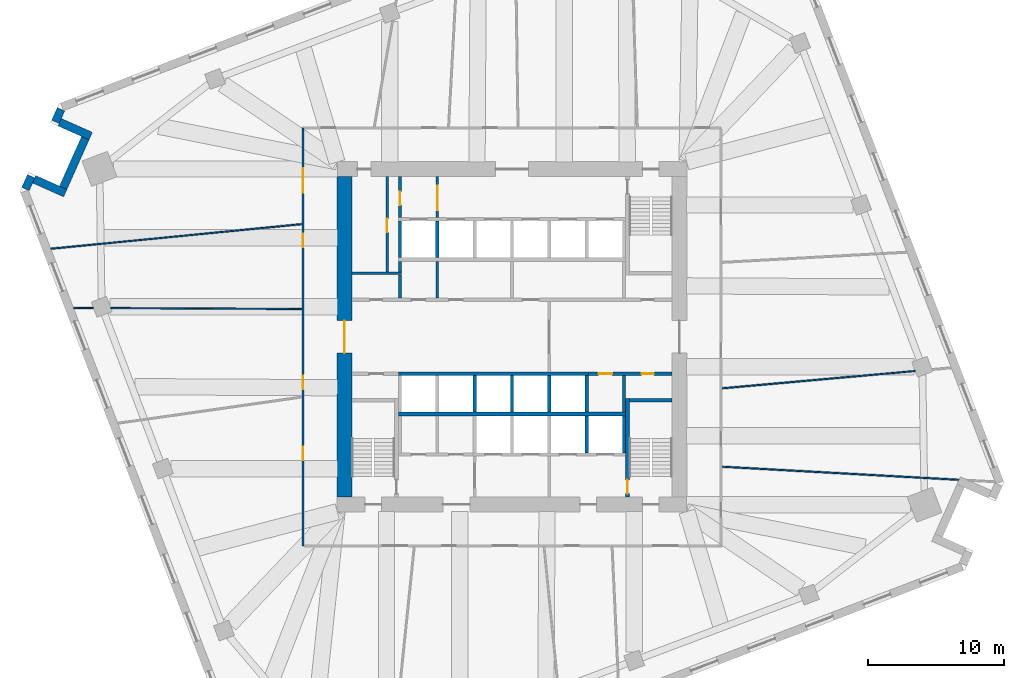
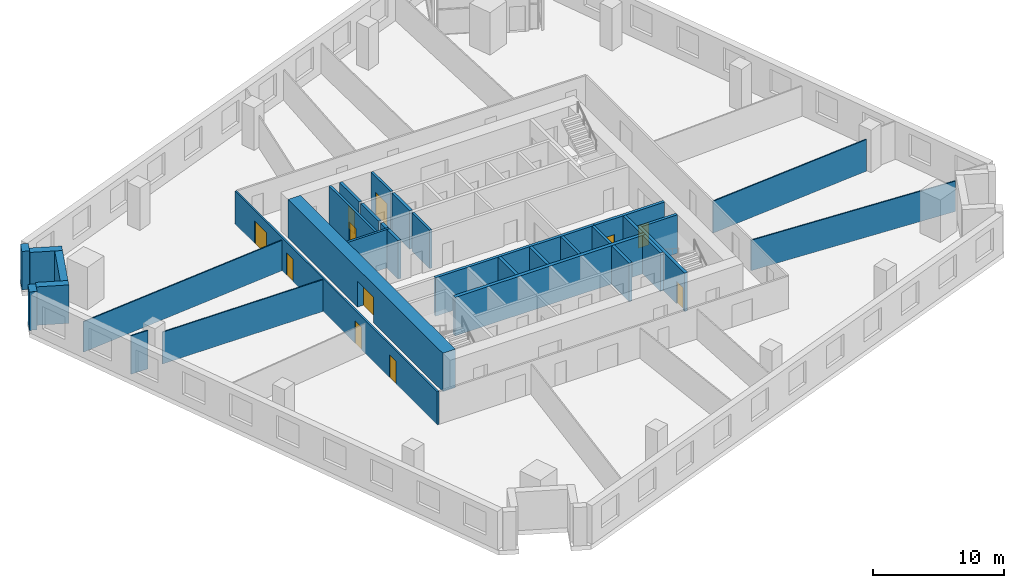
# One storey, part 9 of 14: 33 walls, 11 doors, 11 openings.
"""IFC4 building model written with IfcOpenShell, lengths in metres."""

from ifc_helpers import new_model, si_unit, direction, frame, frame_2d, origin, place, context, subcontext, project, spatial, rectangle, extrude, material, layer, layer_set, type_object, element, fill, save


model = new_model("IFC4")

# Units and contexts
model_context = context("Model", 3, precision=1e-05, world=origin(), true_north=direction((0.0, 1.0)))
body_context = subcontext(model_context, "Body", "Model", "MODEL_VIEW")
ifc_project = project(units=[si_unit("LENGTHUNIT", "METRE"), si_unit("AREAUNIT", "SQUARE_METRE"), si_unit("VOLUMEUNIT", "CUBIC_METRE"), si_unit("PLANEANGLEUNIT", "RADIAN"), si_unit("MASSUNIT", "GRAM", prefix="KILO")], contexts=[model_context])

# Site, building, storey
site_placement = place(None, origin())
site = spatial("IfcSite", under=ifc_project, at=site_placement, CompositionType="ELEMENT")
building_placement = place(site_placement, origin())
building = spatial("IfcBuilding", under=site, at=building_placement, Name="Dilmun Exchange Tower", CompositionType="ELEMENT")
storey_placement = place(building_placement, frame((0.0, 0.0, 110.10009765625)))
storey = spatial("IfcBuildingStorey", under=building, at=storey_placement, Name="L25", CompositionType="ELEMENT", Elevation=110.10009765625)

# Walls
ifc_material_1 = material(Name="Concrete C40/50", Category="concrete")
ifc_layer_1 = layer(ifc_material_1, 0.199951171875)
ifc_layer_set_1 = layer_set([ifc_layer_1], Name="Concrete C40/50")
wall_type_1 = type_object("IfcWallType", Name="Core partition wall 200", PredefinedType="PARTITIONING", material=ifc_layer_set_1)
wall_1_placement = place(storey_placement, frame((-5.5, 2.85498046875, 0.0), z_axis=(0.0, 0.0, 1.0), x_axis=(0.0, 1.0, 0.0)))
element("IfcWall", 1, at=wall_1_placement, inside=storey, type_object=wall_type_1, Name="L25 core partition wall 12", PredefinedType="PARTITIONING", context=body_context, shape_type="SweptSolid", body=[
    extrude(rectangle(XDim=2.68994140625, YDim=0.199951171875, at=frame_2d((1.344970703125, 0.0))), origin(), (0.0, 0.0, 1.0), 3.579833984375),
])
wall_2_placement = place(storey_placement, frame((-11.794921875, 4.675048828125, 0.0), z_axis=(0.0, 0.0, 1.0), x_axis=(1.0, 0.0, 0.0)))
element("IfcWall", 2, at=wall_2_placement, inside=storey, type_object=wall_type_1, Name="L25 core partition wall 15", PredefinedType="PARTITIONING", context=body_context, shape_type="SweptSolid", body=[
    extrude(rectangle(XDim=3.64501953125, YDim=0.199951171875, at=frame_2d((1.822509765625, 0.0))), origin(), (0.0, 0.0, 1.0), 3.579833984375),
])

# Wall, opening, door
wall_3_placement = place(storey_placement, frame((-9.199951171875, 4.780029296875, 0.0), z_axis=(0.0, 0.0, 1.0), x_axis=(0.0, 1.0, 0.0)))
wall_3 = element("IfcWall", 3, at=wall_3_placement, inside=storey, type_object=wall_type_1, Name="L25 core partition wall 16", PredefinedType="PARTITIONING", context=body_context, shape_type="SweptSolid", body=[
    extrude(rectangle(XDim=7.014892578125, YDim=0.199951171875, at=frame_2d((3.50732421875, 0.0))), origin(), (0.0, 0.0, 1.0), 3.579833984375),
])
opening_1_placement = place(wall_3_placement, frame((2.919921875, 0.0, 0.0)))
opening_1 = element("IfcOpeningElement", 4, at=opening_1_placement, cuts=wall_3, Name="Opening CD4", PredefinedType="OPENING", context=body_context, shape_type="SweptSolid", body=[
    extrude(rectangle(XDim=1.0, YDim=2.10009765625, at=frame_2d((0.5, 1.050048828125))), frame((0.0, 0.10986328125, 0.0), z_axis=(0.0, -1.0, 0.0), x_axis=(1.0, 0.0, 0.0)), (0.0, 0.0, 1.0), 0.219970703125),
])
ifc_material_2 = material(Name="Fire-rated steel door set", Category="steel")
door_type_1 = type_object("IfcDoorType", Name="Core room door 1000x2100", OperationType="SINGLE_SWING_LEFT", PredefinedType="DOOR", material=ifc_material_2)
door_1_placement = place(opening_1_placement, origin())
door_1 = element("IfcDoor", 5, at=door_1_placement, inside=storey, type_object=door_type_1, Name="L25 door Fire safety store", OperationType="SINGLE_SWING_RIGHT", OverallHeight=2.10009765625, OverallWidth=1.0, PredefinedType="DOOR", context=body_context, shape_type="SweptSolid", body=[
    extrude(rectangle(XDim=1.0, YDim=2.10009765625, at=frame_2d((0.5, 1.050048828125))), frame((0.0, 0.02490234375, 0.0), z_axis=(0.0, -1.0, 0.0), x_axis=(1.0, 0.0, 0.0)), (0.0, 0.0, 1.0), 0.050048828125),
])
fill(opening_1, door_1)

wall_4_placement = place(storey_placement, frame((-5.5, 8.804931640625, 0.0), z_axis=(0.0, 0.0, 1.0), x_axis=(0.0, 1.0, 0.0)))
wall_4 = element("IfcWall", 6, at=wall_4_placement, inside=storey, type_object=wall_type_1, Name="L25 core partition wall 19", PredefinedType="PARTITIONING", context=body_context, shape_type="SweptSolid", body=[
    extrude(rectangle(XDim=2.989990234375, YDim=0.199951171875, at=frame_2d((1.4951171875, 0.0))), origin(), (0.0, 0.0, 1.0), 3.579833984375),
])
opening_2_placement = place(wall_4_placement, frame((0.532470703125, 0.0, 0.0)))
opening_2 = element("IfcOpeningElement", 7, at=opening_2_placement, cuts=wall_4, Name="Opening CD5", PredefinedType="OPENING", context=body_context, shape_type="SweptSolid", body=[
    extrude(rectangle(XDim=1.800048828125, YDim=2.10009765625, at=frame_2d((0.89990234375, 1.050048828125))), frame((0.0, 0.10986328125, 0.0), z_axis=(0.0, -1.0, 0.0), x_axis=(1.0, 0.0, 0.0)), (0.0, 0.0, 1.0), 0.219970703125),
])
door_type_2 = type_object("IfcDoorType", Name="Stair exit door 1800x2100", OperationType="SINGLE_SWING_LEFT", PredefinedType="DOOR", material=ifc_material_2)
door_2_placement = place(opening_2_placement, origin())
door_2 = element("IfcDoor", 8, at=door_2_placement, inside=storey, type_object=door_type_2, Name="L25 door Lift lobby east", OperationType="SINGLE_SWING_LEFT", OverallHeight=2.10009765625, OverallWidth=1.800048828125, PredefinedType="DOOR", context=body_context, shape_type="SweptSolid", body=[
    extrude(rectangle(XDim=1.800048828125, YDim=2.10009765625, at=frame_2d((0.89990234375, 1.050048828125))), frame((0.0, 0.02490234375, 0.0), z_axis=(0.0, -1.0, 0.0), x_axis=(1.0, 0.0, 0.0)), (0.0, 0.0, 1.0), 0.050048828125),
])
fill(opening_2, door_2)

# Wall
ifc_layer_2 = layer(ifc_material_1, 0.25)
ifc_layer_set_2 = layer_set([ifc_layer_2], Name="Concrete C40/50")
wall_type_2 = type_object("IfcWallType", Name="Core partition wall 250", PredefinedType="PARTITIONING", material=ifc_layer_set_2)
wall_5_placement = place(storey_placement, frame((8.25, -5.544921875, 0.0), z_axis=(0.0, 0.0, 1.0), x_axis=(0.0, 1.0, 0.0)))
element("IfcWall", 9, at=wall_5_placement, inside=storey, type_object=wall_type_2, Name="L25 core partition wall 06", PredefinedType="PARTITIONING", context=body_context, shape_type="SweptSolid", body=[
    extrude(rectangle(XDim=2.68994140625, YDim=0.25, at=frame_2d((1.344970703125, 0.0))), origin(), (0.0, 0.0, 1.0), 3.579833984375),
])

# Wall, openings, doors
wall_6_placement = place(storey_placement, frame((5.6298828125, -2.72509765625, 0.0), z_axis=(0.0, 0.0, 1.0), x_axis=(1.0, 0.0, 0.0)))
wall_6 = element("IfcWall", 10, at=wall_6_placement, inside=storey, type_object=wall_type_2, Name="L25 core partition wall 08", PredefinedType="PARTITIONING", context=body_context, shape_type="SweptSolid", body=[
    extrude(rectangle(XDim=6.1650390625, YDim=0.25, at=frame_2d((3.08251953125, 0.0))), origin(), (0.0, 0.0, 1.0), 3.579833984375),
])
opening_3_placement = place(wall_6_placement, frame((0.7451171875, 0.0, 0.0)))
opening_3 = element("IfcOpeningElement", 11, at=opening_3_placement, cuts=wall_6, Name="Opening CD4", PredefinedType="OPENING", context=body_context, shape_type="SweptSolid", body=[
    extrude(rectangle(XDim=1.0, YDim=2.10009765625, at=frame_2d((0.5, 1.050048828125))), frame((0.0, 0.135009765625, 0.0), z_axis=(0.0, -1.0, 0.0), x_axis=(1.0, 0.0, 0.0)), (0.0, 0.0, 1.0), 0.27001953125),
])
opening_4_placement = place(wall_6_placement, frame((3.919921875, 0.0, 0.0)))
opening_4 = element("IfcOpeningElement", 12, at=opening_4_placement, cuts=wall_6, Name="Opening CD6", PredefinedType="OPENING", context=body_context, shape_type="SweptSolid", body=[
    extrude(rectangle(XDim=0.89990234375, YDim=2.10009765625, at=frame_2d((0.449951171875, 1.050048828125))), frame((0.0, 0.135009765625, 0.0), z_axis=(0.0, -1.0, 0.0), x_axis=(1.0, 0.0, 0.0)), (0.0, 0.0, 1.0), 0.27001953125),
])
door_3_placement = place(opening_3_placement, origin())
door_3 = element("IfcDoor", 13, at=door_3_placement, inside=storey, type_object=door_type_1, Name="L25 door Cleaners' store", OperationType="SINGLE_SWING_RIGHT", OverallHeight=2.10009765625, OverallWidth=1.0, PredefinedType="DOOR", context=body_context, shape_type="SweptSolid", body=[
    extrude(rectangle(XDim=1.0, YDim=2.10009765625, at=frame_2d((0.5, 1.050048828125))), frame((0.0, 0.02490234375, 0.0), z_axis=(0.0, -1.0, 0.0), x_axis=(1.0, 0.0, 0.0)), (0.0, 0.0, 1.0), 0.050048828125),
])
fill(opening_3, door_3)
door_type_3 = type_object("IfcDoorType", Name="Core room door 900x2100", OperationType="SINGLE_SWING_LEFT", PredefinedType="DOOR", material=ifc_material_2)
door_4_placement = place(opening_4_placement, origin())
door_4 = element("IfcDoor", 14, at=door_4_placement, inside=storey, type_object=door_type_3, Name="L25 door Comms riser", OperationType="SINGLE_SWING_RIGHT", OverallHeight=2.10009765625, OverallWidth=0.89990234375, PredefinedType="DOOR", context=body_context, shape_type="SweptSolid", body=[
    extrude(rectangle(XDim=0.89990234375, YDim=2.10009765625, at=frame_2d((0.449951171875, 1.050048828125))), frame((0.0, 0.02490234375, 0.0), z_axis=(0.0, -1.0, 0.0), x_axis=(1.0, 0.0, 0.0)), (0.0, 0.0, 1.0), 0.050048828125),
])
fill(opening_4, door_4)

# Walls
wall_7_placement = place(storey_placement, frame((-8.25, 2.85498046875, 0.0), z_axis=(0.0, 0.0, 1.0), x_axis=(0.0, 1.0, 0.0)))
element("IfcWall", 15, at=wall_7_placement, inside=storey, type_object=wall_type_2, Name="L25 core partition wall 11", PredefinedType="PARTITIONING", context=body_context, shape_type="SweptSolid", body=[
    extrude(rectangle(XDim=1.715087890625, YDim=0.25, at=frame_2d((0.857421875, 0.0))), origin(), (0.0, 0.0, 1.0), 3.579833984375),
])
wall_8_placement = place(storey_placement, frame((-8.25, 4.780029296875, 0.0), z_axis=(0.0, 0.0, 1.0), x_axis=(0.0, 1.0, 0.0)))
element("IfcWall", 16, at=wall_8_placement, inside=storey, type_object=wall_type_2, Name="L25 core partition wall 17", PredefinedType="PARTITIONING", context=body_context, shape_type="SweptSolid", body=[
    extrude(rectangle(XDim=0.764892578125, YDim=0.25, at=frame_2d((0.38232421875, 0.0))), origin(), (0.0, 0.0, 1.0), 3.579833984375),
])

# Wall, opening, door
wall_9_placement = place(storey_placement, frame((-8.25, 8.804931640625, 0.0), z_axis=(0.0, 0.0, 1.0), x_axis=(0.0, 1.0, 0.0)))
wall_9 = element("IfcWall", 17, at=wall_9_placement, inside=storey, type_object=wall_type_2, Name="L25 core partition wall 18", PredefinedType="PARTITIONING", context=body_context, shape_type="SweptSolid", body=[
    extrude(rectangle(XDim=2.989990234375, YDim=0.25, at=frame_2d((1.4951171875, 0.0))), origin(), (0.0, 0.0, 1.0), 3.579833984375),
])
opening_5_placement = place(wall_9_placement, frame((0.89501953125, 0.0, 0.0)))
opening_5 = element("IfcOpeningElement", 18, at=opening_5_placement, cuts=wall_9, Name="Opening CD4", PredefinedType="OPENING", context=body_context, shape_type="SweptSolid", body=[
    extrude(rectangle(XDim=1.0, YDim=2.10009765625, at=frame_2d((0.5, 1.050048828125))), frame((0.0, 0.135009765625, 0.0), z_axis=(0.0, -1.0, 0.0), x_axis=(1.0, 0.0, 0.0)), (0.0, 0.0, 1.0), 0.27001953125),
])
door_5_placement = place(opening_5_placement, origin())
door_5 = element("IfcDoor", 19, at=door_5_placement, inside=storey, type_object=door_type_1, Name="L25 door Tenant services room", OperationType="SINGLE_SWING_RIGHT", OverallHeight=2.10009765625, OverallWidth=1.0, PredefinedType="DOOR", context=body_context, shape_type="SweptSolid", body=[
    extrude(rectangle(XDim=1.0, YDim=2.10009765625, at=frame_2d((0.5, 1.050048828125))), frame((0.0, 0.02490234375, 0.0), z_axis=(0.0, -1.0, 0.0), x_axis=(1.0, 0.0, 0.0)), (0.0, 0.0, 1.0), 0.050048828125),
])
fill(opening_5, door_5)

ifc_material_3 = material(Name="Concrete C80/95", Category="concrete")
ifc_layer_3 = layer(ifc_material_3, 1.10009765625)
ifc_layer_set_3 = layer_set([ifc_layer_3], Name="Concrete C80/95")
wall_type_3 = type_object("IfcWallType", Name="Core shear wall 1100 Concrete C80/95", PredefinedType="SHEAR", material=ifc_layer_set_3)
wall_10_placement = place(storey_placement, frame((-12.35009765625, -11.800048828125, 0.0), z_axis=(0.0, 0.0, 1.0), x_axis=(0.0, 1.0, 0.0)))
wall_10 = element("IfcWall", 20, at=wall_10_placement, inside=storey, type_object=wall_type_3, Name="L25 core shear wall W", PredefinedType="SHEAR", context=body_context, shape_type="SweptSolid", body=[
    extrude(rectangle(XDim=23.60009765625, YDim=1.10009765625, at=frame_2d((11.800048828125, 0.0))), origin(), (0.0, 0.0, 1.0), 3.579833984375),
])
opening_6_placement = place(wall_10_placement, frame((10.60009765625, 0.0, 0.0)))
opening_6 = element("IfcOpeningElement", 21, at=opening_6_placement, cuts=wall_10, Name="Opening CD1", PredefinedType="OPENING", context=body_context, shape_type="SweptSolid", body=[
    extrude(rectangle(XDim=2.39990234375, YDim=2.39990234375, at=frame_2d((1.199951171875, 1.199951171875))), frame((0.0, 0.56005859375, 0.0), z_axis=(0.0, -1.0, 0.0), x_axis=(1.0, 0.0, 0.0)), (0.0, 0.0, 1.0), 1.1201171875),
])
door_type_4 = type_object("IfcDoorType", Name="Core lobby door 2400x2400", OperationType="DOUBLE_DOOR_DOUBLE_SWING", PredefinedType="DOOR", material=ifc_material_2)
door_6_placement = place(opening_6_placement, origin())
door_6 = element("IfcDoor", 22, at=door_6_placement, inside=storey, type_object=door_type_4, Name="L25 door Central lift lobby", OperationType="SINGLE_SWING_LEFT", OverallHeight=2.39990234375, OverallWidth=2.39990234375, PredefinedType="DOOR", context=body_context, shape_type="SweptSolid", body=[
    extrude(rectangle(XDim=2.39990234375, YDim=2.39990234375, at=frame_2d((1.199951171875, 1.199951171875))), frame((0.0, 0.02490234375, 0.0), z_axis=(0.0, -1.0, 0.0), x_axis=(1.0, 0.0, 0.0)), (0.0, 0.0, 1.0), 0.050048828125),
])
fill(opening_6, door_6)

# Wall, openings, doors
ifc_material_4 = material(Name="Corridor wall 150")
ifc_layer_4 = layer(ifc_material_4, 0.14990234375)
ifc_layer_set_4 = layer_set([ifc_layer_4], Name="Corridor wall 150")
wall_type_4 = type_object("IfcWallType", Name="Corridor wall 150", PredefinedType="PARTITIONING", material=ifc_layer_set_4)
wall_11_placement = place(storey_placement, frame((-15.39990234375, -15.39990234375, 0.0), z_axis=(0.0, 0.0, 1.0), x_axis=(0.0, 1.0, 0.0)))
wall_11 = element("IfcWall", 23, at=wall_11_placement, inside=storey, type_object=wall_type_4, Name="Corridor wall", PredefinedType="PARTITIONING", context=body_context, shape_type="SweptSolid", body=[
    extrude(rectangle(XDim=30.7998046875, YDim=0.14990234375, at=frame_2d((15.39990234375, 0.0))), origin(), (0.0, 0.0, 1.0), 3.079833984375),
])
opening_7_placement = place(wall_11_placement, frame((21.999267578125, 0.0, 0.0)))
opening_7 = element("IfcOpeningElement", 24, at=opening_7_placement, cuts=wall_11, Name="Opening TF23-D01", PredefinedType="OPENING", context=body_context, shape_type="SweptSolid", body=[
    extrude(rectangle(XDim=1.0, YDim=2.10009765625, at=frame_2d((0.5, 1.050048828125))), frame((0.0, 0.0849609375, 0.0), z_axis=(0.0, -1.0, 0.0), x_axis=(1.0, 0.0, 0.0)), (0.0, 0.0, 1.0), 0.169921875),
])
opening_8_placement = place(wall_11_placement, frame((11.51806640625, 0.0, 0.0)))
opening_8 = element("IfcOpeningElement", 25, at=opening_8_placement, cuts=wall_11, Name="Opening TF23-D02", PredefinedType="OPENING", context=body_context, shape_type="SweptSolid", body=[
    extrude(rectangle(XDim=1.0, YDim=2.10009765625, at=frame_2d((0.5, 1.050048828125))), frame((0.0, 0.0849609375, 0.0), z_axis=(0.0, -1.0, 0.0), x_axis=(1.0, 0.0, 0.0)), (0.0, 0.0, 1.0), 0.169921875),
])
opening_9_placement = place(wall_11_placement, frame((26.00537109375, 0.0, 0.0)))
opening_9 = element("IfcOpeningElement", 26, at=opening_9_placement, cuts=wall_11, Name="Opening TF23-D03", PredefinedType="OPENING", context=body_context, shape_type="SweptSolid", body=[
    extrude(rectangle(XDim=1.800048828125, YDim=2.10009765625, at=frame_2d((0.89990234375, 1.050048828125))), frame((0.0, 0.0849609375, 0.0), z_axis=(0.0, -1.0, 0.0), x_axis=(1.0, 0.0, 0.0)), (0.0, 0.0, 1.0), 0.169921875),
])
opening_10_placement = place(wall_11_placement, frame((6.300048828125, 0.0, 0.0)))
opening_10 = element("IfcOpeningElement", 27, at=opening_10_placement, cuts=wall_11, Name="Opening TF23-D06", PredefinedType="OPENING", context=body_context, shape_type="SweptSolid", body=[
    extrude(rectangle(XDim=1.0, YDim=2.10009765625, at=frame_2d((0.5, 1.050048828125))), frame((0.0, 0.0849609375, 0.0), z_axis=(0.0, -1.0, 0.0), x_axis=(1.0, 0.0, 0.0)), (0.0, 0.0, 1.0), 0.169921875),
])
ifc_material_5 = material(Name="Fire door 1000 x 2100")
door_type_5 = type_object("IfcDoorType", Name="Fire door 1000 x 2100", OperationType="NOTDEFINED", PredefinedType="DOOR", material=ifc_material_5)
door_7_placement = place(opening_7_placement, origin())
door_7 = element("IfcDoor", 28, at=door_7_placement, inside=storey, type_object=door_type_5, Name="Door TF23-D01", OperationType="SINGLE_SWING_LEFT", OverallHeight=2.10009765625, OverallWidth=1.0, PredefinedType="DOOR", context=body_context, shape_type="SweptSolid", body=[
    extrude(rectangle(XDim=1.0, YDim=2.10009765625, at=frame_2d((0.5, 1.050048828125))), frame((0.0, 0.02490234375, 0.0), z_axis=(0.0, -1.0, 0.0), x_axis=(1.0, 0.0, 0.0)), (0.0, 0.0, 1.0), 0.050048828125),
])
fill(opening_7, door_7)
door_8_placement = place(opening_8_placement, origin())
door_8 = element("IfcDoor", 29, at=door_8_placement, inside=storey, type_object=door_type_5, Name="Door TF23-D02", OperationType="SINGLE_SWING_RIGHT", OverallHeight=2.10009765625, OverallWidth=1.0, PredefinedType="DOOR", context=body_context, shape_type="SweptSolid", body=[
    extrude(rectangle(XDim=1.0, YDim=2.10009765625, at=frame_2d((0.5, 1.050048828125))), frame((0.0, 0.02490234375, 0.0), z_axis=(0.0, -1.0, 0.0), x_axis=(1.0, 0.0, 0.0)), (0.0, 0.0, 1.0), 0.050048828125),
])
fill(opening_8, door_8)
door_9_placement = place(opening_10_placement, origin())
door_9 = element("IfcDoor", 30, at=door_9_placement, inside=storey, type_object=door_type_5, Name="Door TF23-D06", OperationType="SINGLE_SWING_RIGHT", OverallHeight=2.10009765625, OverallWidth=1.0, PredefinedType="DOOR", context=body_context, shape_type="SweptSolid", body=[
    extrude(rectangle(XDim=1.0, YDim=2.10009765625, at=frame_2d((0.5, 1.050048828125))), frame((0.0, 0.02490234375, 0.0), z_axis=(0.0, -1.0, 0.0), x_axis=(1.0, 0.0, 0.0)), (0.0, 0.0, 1.0), 0.050048828125),
])
fill(opening_10, door_9)
ifc_material_6 = material(Name="Fire door pair 1800 x 2100")
door_type_6 = type_object("IfcDoorType", Name="Fire door pair 1800 x 2100", OperationType="NOTDEFINED", PredefinedType="DOOR", material=ifc_material_6)
door_10_placement = place(opening_9_placement, origin())
door_10 = element("IfcDoor", 31, at=door_10_placement, inside=storey, type_object=door_type_6, Name="Door TF23-D03", OperationType="DOUBLE_DOOR_SINGLE_SWING", OverallHeight=2.10009765625, OverallWidth=1.800048828125, PredefinedType="DOOR", context=body_context, shape_type="SweptSolid", body=[
    extrude(rectangle(XDim=1.800048828125, YDim=2.10009765625, at=frame_2d((0.89990234375, 1.050048828125))), frame((0.0, 0.02490234375, 0.0), z_axis=(0.0, -1.0, 0.0), x_axis=(1.0, 0.0, 0.0)), (0.0, 0.0, 1.0), 0.050048828125),
])
fill(opening_9, door_10)

# Walls
ifc_layer_5 = layer(ifc_material_1, 0.300048828125)
ifc_layer_set_5 = layer_set([ifc_layer_5], Name="Concrete C40/50")
wall_type_5 = type_object("IfcWallType", Name="Lift shaft shared wall 300", PredefinedType="SOLIDWALL", material=ifc_layer_set_5)
wall_12_placement = place(storey_placement, frame((-8.375, -5.699951171875, 0.0), z_axis=(0.0, 0.0, 1.0), x_axis=(1.0, 0.0, 0.0)))
element("IfcWall", 32, at=wall_12_placement, inside=storey, type_object=wall_type_5, Name="L25 lift shaft rear wall S", PredefinedType="SOLIDWALL", context=body_context, shape_type="SweptSolid", body=[
    extrude(rectangle(XDim=16.75, YDim=0.300048828125, at=frame_2d((8.375, 0.0))), origin(), (0.0, 0.0, 1.0), 3.579833984375),
])
ifc_layer_6 = layer(ifc_material_1, 0.25)
ifc_layer_set_6 = layer_set([ifc_layer_6], Name="Concrete C40/50")
wall_type_6 = type_object("IfcWallType", Name="Lift shaft wall 250", PredefinedType="SOLIDWALL", material=ifc_layer_set_6)
for number, where, z_axis, x_axis, name in (
    (33, (-8.25, 5.85009765625, 0.0), (0.0, 0.0, 1.0), (0.0, 1.0, 0.0), "L25 lift shaft divider N20"),
    (34, (-5.5, 5.85009765625, 0.0), (0.0, 0.0, 1.0), (0.0, 1.0, 0.0), "L25 lift shaft divider N21"),
):
    element("IfcWall", number, at=place(storey_placement, frame(where, z_axis=z_axis, x_axis=x_axis)), inside=storey, type_object=wall_type_6, Name=name, PredefinedType="SOLIDWALL", context=body_context, shape_type="SweptSolid", body=[
        extrude(rectangle(XDim=2.699951171875, YDim=0.25, at=frame_2d((1.35009765625, 0.0))), origin(), (0.0, 0.0, 1.0), 3.579833984375),
    ])
wall_13_placement = place(storey_placement, frame((-8.375, -2.72509765625, 0.0), z_axis=(0.0, 0.0, 1.0), x_axis=(1.0, 0.0, 0.0)))
element("IfcWall", 35, at=wall_13_placement, inside=storey, type_object=wall_type_6, Name="L25 lift shaft front wall S1", PredefinedType="SOLIDWALL", context=body_context, shape_type="SweptSolid", body=[
    extrude(rectangle(XDim=14.0, YDim=0.25, at=frame_2d((7.0, 0.0))), origin(), (0.0, 0.0, 1.0), 3.579833984375),
])
for number, where, z_axis, x_axis, name in (
    (36, (-2.75, -5.550048828125, 0.0), (0.0, 0.0, 1.0), (0.0, 1.0, 0.0), "L25 lift shaft divider S12"),
    (37, (0.0, -5.550048828125, 0.0), (0.0, 0.0, 1.0), (0.0, 1.0, 0.0), "L25 lift shaft divider S13"),
    (38, (2.75, -5.550048828125, 0.0), (0.0, 0.0, 1.0), (0.0, 1.0, 0.0), "L25 lift shaft divider S14"),
    (39, (5.5, -5.550048828125, 0.0), (0.0, 0.0, 1.0), (0.0, 1.0, 0.0), "L25 lift shaft divider S15"),
    (40, (5.5, -8.550048828125, 0.0), (0.0, 0.0, 1.0), (0.0, 1.0, 0.0), "L25 lift shaft divider S25"),
    (41, (8.25, -8.550048828125, 0.0), (0.0, 0.0, 1.0), (0.0, 1.0, 0.0), "L25 lift shaft divider S26"),
):
    element("IfcWall", number, at=place(storey_placement, frame(where, z_axis=z_axis, x_axis=x_axis)), inside=storey, type_object=wall_type_6, Name=name, PredefinedType="SOLIDWALL", context=body_context, shape_type="SweptSolid", body=[
        extrude(rectangle(XDim=2.699951171875, YDim=0.25, at=frame_2d((1.35009765625, 0.0))), origin(), (0.0, 0.0, 1.0), 3.579833984375),
    ])
ifc_material_7 = material(Name="Partition 100")
ifc_layer_7 = layer(ifc_material_7, 0.10009765625)
ifc_layer_set_7 = layer_set([ifc_layer_7], Name="Partition 100")
wall_type_7 = type_object("IfcWallType", Name="Partition 100", PredefinedType="PARTITIONING", material=ifc_layer_set_7)
wall_14_placement = place(storey_placement, frame((-33.979736328125, 6.48681640625, 0.0), z_axis=(0.0, 0.0, 1.0), x_axis=(0.995224598135, 0.097611470978, 0.0)))
element("IfcWall", 42, at=wall_14_placement, inside=storey, type_object=wall_type_7, Name="Partition", PredefinedType="PARTITIONING", context=body_context, shape_type="SweptSolid", body=[
    extrude(rectangle(XDim=18.588623046875, YDim=0.10009765625, at=frame_2d((9.29443359375, 0.0))), origin(), (0.0, 0.0, 1.0), 2.829833984375),
])
wall_15_placement = place(storey_placement, frame((-32.306884765625, 2.12890625, 0.0), z_axis=(0.0, 0.0, 1.0), x_axis=(0.999989154713, -0.004657301452, 0.0)))
element("IfcWall", 43, at=wall_15_placement, inside=storey, type_object=wall_type_7, Name="Partition", PredefinedType="PARTITIONING", context=body_context, shape_type="SweptSolid", body=[
    extrude(rectangle(XDim=1.4677734375, YDim=0.10009765625, at=frame_2d((0.73388671875, 0.0))), origin(), (0.0, 0.0, 1.0), 3.579833984375),
])
wall_16_placement = place(storey_placement, frame((-29.55419921875, 2.115966796875, 0.0), z_axis=(0.0, 0.0, 1.0), x_axis=(0.999988794836, -0.004733941545, 0.0)))
element("IfcWall", 44, at=wall_16_placement, inside=storey, type_object=wall_type_7, Name="Partition", PredefinedType="PARTITIONING", context=body_context, shape_type="SweptSolid", body=[
    extrude(rectangle(XDim=14.079345703125, YDim=0.10009765625, at=frame_2d((7.03955078125, 0.0))), origin(), (0.0, 0.0, 1.0), 2.9599609375),
])
wall_17_placement = place(storey_placement, frame((15.477783203125, -9.5712890625, 0.0), z_axis=(0.0, 0.0, 1.0), x_axis=(0.998469362273, -0.055307617944, 0.0)))
element("IfcWall", 45, at=wall_17_placement, inside=storey, type_object=wall_type_7, Name="Partition", PredefinedType="PARTITIONING", context=body_context, shape_type="SweptSolid", body=[
    extrude(rectangle(XDim=17.48486328125, YDim=0.10009765625, at=frame_2d((8.742431640625, 0.0))), origin(), (0.0, 0.0, 1.0), 2.829833984375),
])
wall_18_placement = place(storey_placement, frame((15.4794921875, -3.7958984375, 0.0), z_axis=(0.0, 0.0, 1.0), x_axis=(0.995999820124, 0.089355236634, 0.0)))
element("IfcWall", 46, at=wall_18_placement, inside=storey, type_object=wall_type_7, Name="Partition", PredefinedType="PARTITIONING", context=body_context, shape_type="SweptSolid", body=[
    extrude(rectangle(XDim=14.2841796875, YDim=0.10009765625, at=frame_2d((7.14208984375, 0.0))), origin(), (0.0, 0.0, 1.0), 2.9599609375),
])
ifc_material_8 = material(Name="Precast concrete C50/60", Category="concrete")
ifc_layer_8 = layer(ifc_material_8, 0.60009765625)
ifc_layer_set_8 = layer_set([ifc_layer_8], Name="Precast concrete C50/60")
wall_type_8 = type_object("IfcWallType", Name="Precast stone-clad wall 600", PredefinedType="STANDARD", material=ifc_layer_set_8)
wall_19_placement = place(storey_placement, frame((-33.231689453125, 16.7626953125, 0.0), z_axis=(0.0, 0.0, 1.0), x_axis=(-0.406877680738, -0.913482650583, 0.0)))
element("IfcWall", 47, at=wall_19_placement, inside=storey, type_object=wall_type_8, Name="Facade wall L25-04", PredefinedType="STANDARD", context=body_context, shape_type="SweptSolid", body=[
    extrude(rectangle(XDim=1.010986328125, YDim=0.60009765625, at=frame_2d((0.50537109375, 0.0))), origin(), (0.0, 0.0, 1.0), 3.579833984375),
])
wall_20_placement = place(storey_placement, frame((-33.328125, 15.808349609375, 0.0), z_axis=(0.0, 0.0, 1.0), x_axis=(0.913533450149, -0.406763611276, 0.0)))
element("IfcWall", 48, at=wall_20_placement, inside=storey, type_object=wall_type_8, Name="Facade wall L25-05", PredefinedType="STANDARD", context=body_context, shape_type="SweptSolid", body=[
    extrude(rectangle(XDim=2.499755859375, YDim=0.60009765625, at=frame_2d((1.25, 0.0))), origin(), (0.0, 0.0, 1.0), 3.579833984375),
])
wall_21_placement = place(storey_placement, frame((-31.4404296875, 14.639404296875, 0.0), z_axis=(0.0, 0.0, 1.0), x_axis=(-0.406727323635, -0.913549606868, 0.0)))
element("IfcWall", 49, at=wall_21_placement, inside=storey, type_object=wall_type_8, Name="Facade wall L25-06", PredefinedType="STANDARD", context=body_context, shape_type="SweptSolid", body=[
    extrude(rectangle(XDim=4.0, YDim=0.60009765625, at=frame_2d((2.0, 0.0))), origin(), (0.0, 0.0, 1.0), 3.579833984375),
])
wall_22_placement = place(storey_placement, frame((-32.915283203125, 10.589111328125, 0.0), z_axis=(0.0, 0.0, 1.0), x_axis=(-0.913549606868, 0.406727323635, 0.0)))
element("IfcWall", 50, at=wall_22_placement, inside=storey, type_object=wall_type_8, Name="Facade wall L25-07", PredefinedType="STANDARD", context=body_context, shape_type="SweptSolid", body=[
    extrude(rectangle(XDim=2.5, YDim=0.60009765625, at=frame_2d((1.25, 0.0))), origin(), (0.0, 0.0, 1.0), 3.579833984375),
])
wall_23_placement = place(storey_placement, frame((-35.4326171875, 11.8193359375, 0.0), z_axis=(0.0, 0.0, 1.0), x_axis=(-0.406787949875, -0.913522612657, 0.0)))
element("IfcWall", 51, at=wall_23_placement, inside=storey, type_object=wall_type_8, Name="Facade wall L25-08", PredefinedType="STANDARD", context=body_context, shape_type="SweptSolid", body=[
    extrude(rectangle(XDim=1.01123046875, YDim=0.60009765625, at=frame_2d((0.505615234375, 0.0))), origin(), (0.0, 0.0, 1.0), 3.579833984375),
])
ifc_layer_9 = layer(ifc_material_1, 0.25)
ifc_layer_set_9 = layer_set([ifc_layer_9], Name="Concrete C40/50")
wall_type_9 = type_object("IfcWallType", Name="Stair end wall 250", PredefinedType="SOLIDWALL", material=ifc_layer_set_9)
wall_24_placement = place(storey_placement, frame((8.64990234375, -4.675048828125, 0.0), z_axis=(0.0, 0.0, 1.0), x_axis=(1.0, 0.0, 0.0)))
element("IfcWall", 52, at=wall_24_placement, inside=storey, type_object=wall_type_9, Name="L25 ST3 far wall", PredefinedType="SOLIDWALL", context=body_context, shape_type="SweptSolid", body=[
    extrude(rectangle(XDim=3.150146484375, YDim=0.25, at=frame_2d((1.5751953125, 0.0))), origin(), (0.0, 0.0, 1.0), 3.579833984375),
])

# Wall, opening, door
ifc_layer_10 = layer(ifc_material_1, 0.27490234375)
ifc_layer_set_10 = layer_set([ifc_layer_10], Name="Concrete C40/50")
wall_type_10 = type_object("IfcWallType", Name="Stair wall 275", PredefinedType="SOLIDWALL", material=ifc_layer_set_10)
wall_25_placement = place(storey_placement, frame((8.512451171875, -4.550048828125, 0.0), z_axis=(0.0, 0.0, 1.0), x_axis=(0.0, -1.0, 0.0)))
wall_25 = element("IfcWall", 53, at=wall_25_placement, inside=storey, type_object=wall_type_10, Name="L25 ST3 wall to lift block", PredefinedType="SOLIDWALL", context=body_context, shape_type="SweptSolid", body=[
    extrude(rectangle(XDim=7.25, YDim=0.27490234375, at=frame_2d((3.625, 0.0))), origin(), (0.0, 0.0, 1.0), 3.579833984375),
])
opening_11_placement = place(wall_25_placement, frame((6.0, 0.0, 0.0)))
opening_11 = element("IfcOpeningElement", 54, at=opening_11_placement, cuts=wall_25, Name="Opening CD4", PredefinedType="OPENING", context=body_context, shape_type="SweptSolid", body=[
    extrude(rectangle(XDim=1.0, YDim=2.10009765625, at=frame_2d((0.5, 1.050048828125))), frame((0.0, 0.1474609375, 0.0), z_axis=(0.0, -1.0, 0.0), x_axis=(1.0, 0.0, 0.0)), (0.0, 0.0, 1.0), 0.294921875),
])
door_11_placement = place(opening_11_placement, origin())
door_11 = element("IfcDoor", 55, at=door_11_placement, inside=storey, type_object=door_type_1, Name="L25 door ST3 from lobby", OperationType="SINGLE_SWING_LEFT", OverallHeight=2.10009765625, OverallWidth=1.0, PredefinedType="DOOR", context=body_context, shape_type="SweptSolid", body=[
    extrude(rectangle(XDim=1.0, YDim=2.10009765625, at=frame_2d((0.5, 1.050048828125))), frame((0.0, 0.02490234375, 0.0), z_axis=(0.0, -1.0, 0.0), x_axis=(1.0, 0.0, 0.0)), (0.0, 0.0, 1.0), 0.050048828125),
])
fill(opening_11, door_11)

save(model, "model.ifc")
